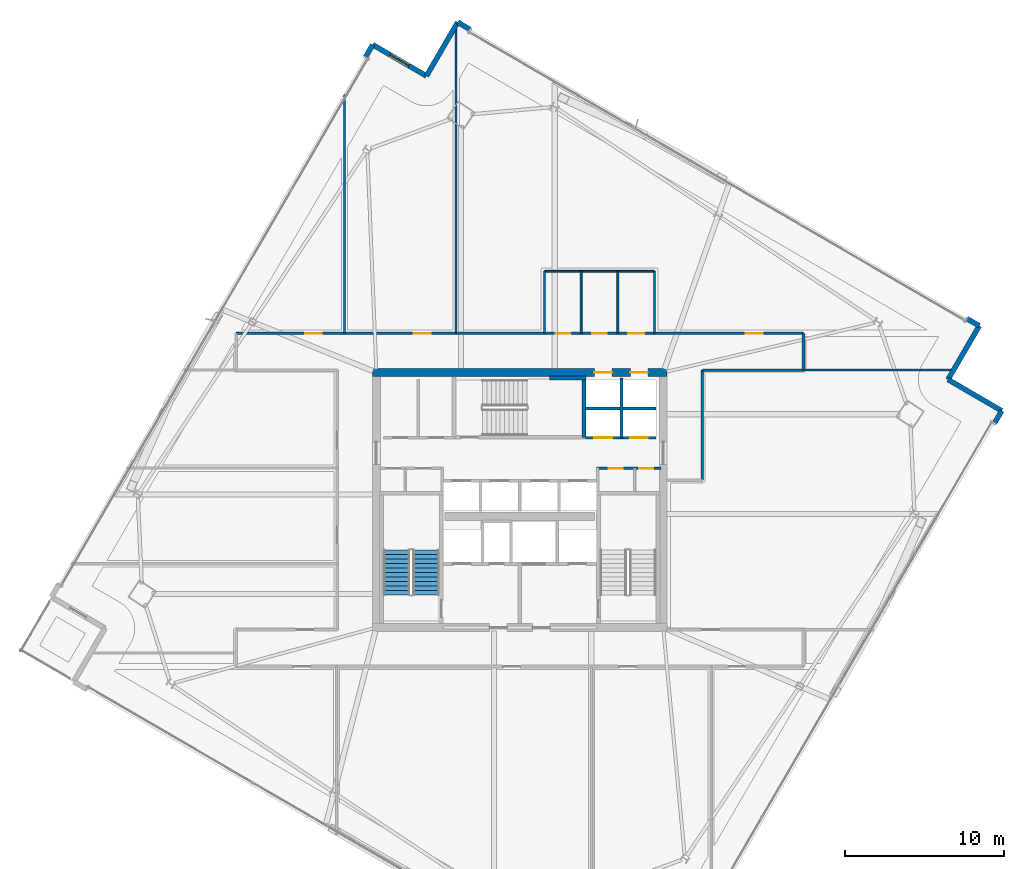
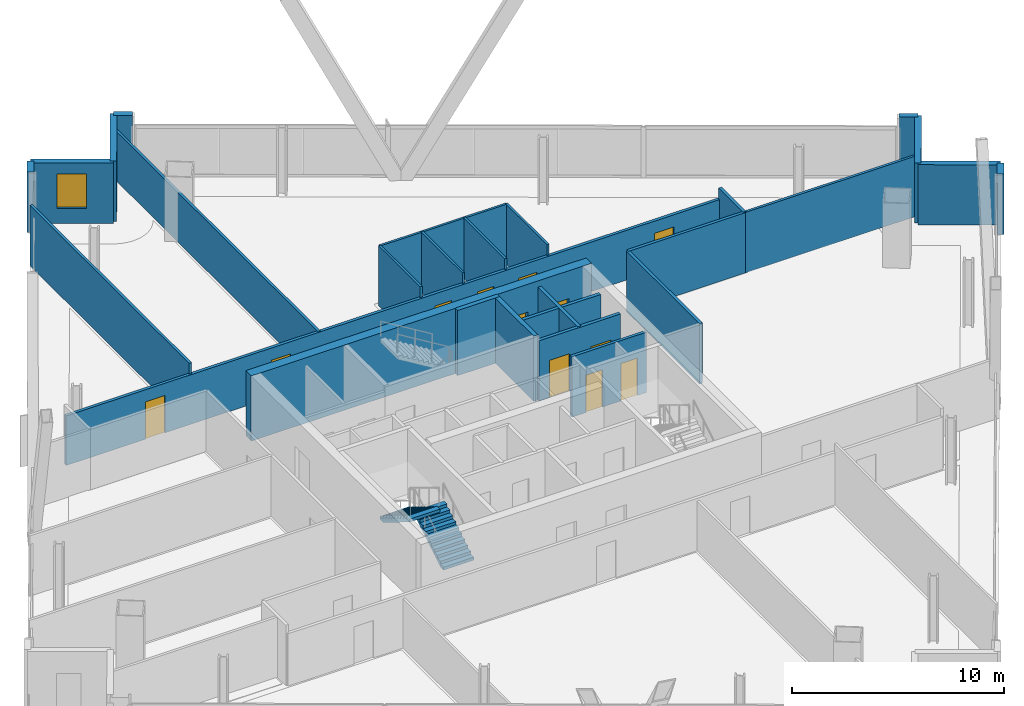
# One storey, part 23 of 29: 27 walls, 12 doors, 2 stair flights, 1 window, 13 openings, 1 element without a shape of its own.
"""IFC4 building model written with IfcOpenShell, lengths in metres."""

from ifc_helpers import new_model, si_unit, direction, frame, frame_2d, origin, place, context, subcontext, project, spatial, polyline, rectangle, outline, extrude, material, layer, layer_set, type_object, element, fill, aggregate, save


model = new_model("IFC4")

# Units and contexts
model_context = context("Model", 3, precision=1e-05, world=origin(), true_north=direction((0.0, 1.0)))
body_context = subcontext(model_context, "Body", "Model", "MODEL_VIEW")
ifc_project = project(units=[si_unit("LENGTHUNIT", "METRE"), si_unit("AREAUNIT", "SQUARE_METRE"), si_unit("VOLUMEUNIT", "CUBIC_METRE"), si_unit("PLANEANGLEUNIT", "RADIAN"), si_unit("MASSUNIT", "GRAM", prefix="KILO")], contexts=[model_context])

# Site, building, storey
site_placement = place(None, origin())
site = spatial("IfcSite", under=ifc_project, at=site_placement, CompositionType="ELEMENT")
building_placement = place(site_placement, origin())
building = spatial("IfcBuilding", under=site, at=building_placement, Name="Haldenkirk Collegiate Tower", CompositionType="ELEMENT")
storey_placement = place(building_placement, frame((0.0, 0.0, 228.449951171875)))
storey = spatial("IfcBuildingStorey", under=building, at=storey_placement, Name="L57", CompositionType="ELEMENT", Elevation=228.449951171875)

# Wall, openings, doors
ifc_material_1 = material(Name="Concrete f'c 55 MPa", Category="concrete")
ifc_layer_1 = layer(ifc_material_1, 0.5)
ifc_layer_set_1 = layer_set([ifc_layer_1], Name="Concrete f'c 55 MPa")
wall_type_1 = type_object("IfcWallType", Name="WL-CORE-500", PredefinedType="SHEAR", material=ifc_layer_set_1)
wall_1_placement = place(storey_placement, frame((26.75, 34.0, 0.0), z_axis=(0.0, 0.0, 1.0), x_axis=(1.0, 0.0, 0.0)))
wall_1 = element("IfcWall", 1, at=wall_1_placement, inside=storey, type_object=wall_type_1, Name="L57 central core shear wall N", PredefinedType="SHEAR", context=body_context, shape_type="SweptSolid", body=[
    extrude(rectangle(XDim=18.5, YDim=0.5, at=frame_2d((9.25, 0.0))), origin(), (0.0, 0.0, 1.0), 3.75),
])
opening_1_placement = place(wall_1_placement, frame((13.93505859375, 0.0, 0.0)))
opening_1 = element("IfcOpeningElement", 2, at=opening_1_placement, cuts=wall_1, Name="Opening LD-11", PredefinedType="OPENING", context=body_context, shape_type="SweptSolid", body=[
    extrude(rectangle(XDim=1.10009765625, YDim=2.14990234375, at=frame_2d((0.550048828125, 1.074951171875))), frame((0.0, 0.260009765625, 0.0), z_axis=(0.0, -1.0, 0.0), x_axis=(1.0, 0.0, 0.0)), (0.0, 0.0, 1.0), 0.52001953125),
])
opening_2_placement = place(wall_1_placement, frame((16.18505859375, 0.0, 0.0)))
opening_2 = element("IfcOpeningElement", 3, at=opening_2_placement, cuts=wall_1, Name="Opening LD-11", PredefinedType="OPENING", context=body_context, shape_type="SweptSolid", body=[
    extrude(rectangle(XDim=1.10009765625, YDim=2.14990234375, at=frame_2d((0.550048828125, 1.074951171875))), frame((0.0, 0.260009765625, 0.0), z_axis=(0.0, -1.0, 0.0), x_axis=(1.0, 0.0, 0.0)), (0.0, 0.0, 1.0), 0.52001953125),
])
ifc_material_2 = material(Name="Brushed architectural stainless steel", Category="steel")
ifc_layer_2 = layer(ifc_material_2, 0.06005859375)
ifc_layer_set_2 = layer_set([ifc_layer_2], Name="Brushed architectural stainless steel")
door_type_1 = type_object("IfcDoorType", Name="LD-PASS-1100", OperationType="NOTDEFINED", PredefinedType="DOOR", material=ifc_layer_set_2)
door_1_placement = place(opening_1_placement, origin())
door_1 = element("IfcDoor", 4, at=door_1_placement, inside=storey, type_object=door_type_1, Name="L57 Elevator PM3 sliding landing door", OperationType="SLIDING_TO_LEFT", OverallHeight=2.14990234375, OverallWidth=1.10009765625, PredefinedType="DOOR", context=body_context, shape_type="SweptSolid", body=[
    extrude(rectangle(XDim=1.10009765625, YDim=2.14990234375, at=frame_2d((0.550048828125, 1.074951171875))), frame((0.0, 0.02490234375, 0.0), z_axis=(0.0, -1.0, 0.0), x_axis=(1.0, 0.0, 0.0)), (0.0, 0.0, 1.0), 0.050048828125),
])
fill(opening_1, door_1)
door_2_placement = place(opening_2_placement, origin())
door_2 = element("IfcDoor", 5, at=door_2_placement, inside=storey, type_object=door_type_1, Name="L57 Elevator PM4 sliding landing door", OperationType="SLIDING_TO_LEFT", OverallHeight=2.14990234375, OverallWidth=1.10009765625, PredefinedType="DOOR", context=body_context, shape_type="SweptSolid", body=[
    extrude(rectangle(XDim=1.10009765625, YDim=2.14990234375, at=frame_2d((0.550048828125, 1.074951171875))), frame((0.0, 0.02490234375, 0.0), z_axis=(0.0, -1.0, 0.0), x_axis=(1.0, 0.0, 0.0)), (0.0, 0.0, 1.0), 0.050048828125),
])
fill(opening_2, door_2)

# Walls
ifc_material_3 = material(Name="Precast concrete f'c 40 MPa", Category="concrete")
ifc_layer_3 = layer(ifc_material_3, 0.320068359375)
ifc_layer_set_3 = layer_set([ifc_layer_3], Name="Precast concrete f'c 40 MPa")
wall_type_2 = type_object("IfcWallType", Name="WL-EXT-TWR-320", PredefinedType="STANDARD", material=ifc_layer_set_3)
wall_2_placement = place(storey_placement, frame((66.244873046875, 31.595703125, 0.0), z_axis=(0.0, 0.0, 1.0), x_axis=(-0.503280491755, -0.864123108485, 0.0)))
element("IfcWall", 6, at=wall_2_placement, inside=storey, type_object=wall_type_2, Name="L57 precast corner pier SL", PredefinedType="STANDARD", context=body_context, shape_type="SweptSolid", body=[
    extrude(rectangle(XDim=0.89990234375, YDim=0.320068359375, at=frame_2d((0.449951171875, 0.0))), origin(), (0.0, 0.0, 1.0), 3.469970703125),
])
wall_3_placement = place(storey_placement, frame((62.8740234375, 33.5576171875, 0.0), z_axis=(0.0, 0.0, 1.0), x_axis=(0.86427115238, -0.503026217174, 0.0)))
element("IfcWall", 7, at=wall_3_placement, inside=storey, type_object=wall_type_2, Name="L57 bronze precast notch wall 02", PredefinedType="STANDARD", context=body_context, shape_type="SweptSolid", body=[
    extrude(rectangle(XDim=3.900146484375, YDim=0.320068359375, at=frame_2d((1.9501953125, 0.0))), origin(), (0.0, 0.0, 1.0), 3.469970703125),
])
wall_4_placement = place(storey_placement, frame((64.8359375, 36.92822265625, 0.0), z_axis=(0.0, 0.0, 1.0), x_axis=(-0.503053432331, -0.864255311942, 0.0)))
element("IfcWall", 8, at=wall_4_placement, inside=storey, type_object=wall_type_2, Name="L57 bronze precast notch wall 03", PredefinedType="STANDARD", context=body_context, shape_type="SweptSolid", body=[
    extrude(rectangle(XDim=3.89990234375, YDim=0.320068359375, at=frame_2d((1.949951171875, 0.0))), origin(), (0.0, 0.0, 1.0), 3.469970703125),
])
for number, where, z_axis, x_axis, name in (
    (9, (32.1015625, 55.97998046875, 0.0), (0.0, 0.0, 1.0), (0.86430974307, -0.502959906984, 0.0), "L57 precast corner pier EL"),
    (10, (64.05810546875, 37.380859375, 0.0), (0.0, 0.0, 1.0), (0.86430974307, -0.502959906984, 0.0), "L57 precast corner pier ER"),
):
    element("IfcWall", number, at=place(storey_placement, frame(where, z_axis=z_axis, x_axis=x_axis)), inside=storey, type_object=wall_type_2, Name=name, PredefinedType="STANDARD", context=body_context, shape_type="SweptSolid", body=[
        extrude(rectangle(XDim=0.89990234375, YDim=0.320068359375, at=frame_2d((0.449951171875, 0.0))), origin(), (0.0, 0.0, 1.0), 3.469970703125),
    ])
wall_5_placement = place(storey_placement, frame((30.1396484375, 52.609375, 0.0), z_axis=(0.0, 0.0, 1.0), x_axis=(0.503053432331, 0.864255311942, 0.0)))
element("IfcWall", 11, at=wall_5_placement, inside=storey, type_object=wall_type_2, Name="L57 bronze precast notch wall 05", PredefinedType="STANDARD", context=body_context, shape_type="SweptSolid", body=[
    extrude(rectangle(XDim=3.89990234375, YDim=0.320068359375, at=frame_2d((1.949951171875, 0.0))), origin(), (0.0, 0.0, 1.0), 3.469970703125),
])

# Wall, opening, window
wall_6_placement = place(storey_placement, frame((26.76904296875, 54.5712890625, 0.0), z_axis=(0.0, 0.0, 1.0), x_axis=(0.864255311942, -0.503053432331, 0.0)))
wall_6 = element("IfcWall", 12, at=wall_6_placement, inside=storey, type_object=wall_type_2, Name="L57 bronze precast notch wall 06", PredefinedType="STANDARD", context=body_context, shape_type="SweptSolid", body=[
    extrude(rectangle(XDim=3.89990234375, YDim=0.320068359375, at=frame_2d((1.949951171875, 0.0))), origin(), (0.0, 0.0, 1.0), 3.469970703125),
])
opening_3_placement = place(wall_6_placement, frame((1.25, 0.0, 0.85009765625)))
opening_3 = element("IfcOpeningElement", 13, at=opening_3_placement, cuts=wall_6, Name="Opening W-06", PredefinedType="OPENING", context=body_context, shape_type="SweptSolid", body=[
    extrude(rectangle(XDim=1.39990234375, YDim=2.0, at=frame_2d((0.699951171875, 1.0))), frame((0.0, 0.169921875, 0.0), z_axis=(0.0, -1.0, 0.0), x_axis=(1.0, 0.0, 0.0)), (0.0, 0.0, 1.0), 0.340087890625),
])
ifc_material_4 = material(Name="Low-E argon triple insulating glass", Category="glass")
ifc_layer_4 = layer(ifc_material_4, 0.090087890625)
ifc_layer_set_4 = layer_set([ifc_layer_4], Name="Low-E argon triple insulating glass")
window_type = type_object("IfcWindowType", Name="WN-Z4-1400X2000", PartitioningType="SINGLE_PANEL", PredefinedType="WINDOW", material=ifc_layer_set_4)
window_placement = place(opening_3_placement, origin())
window = element("IfcWindow", 14, at=window_placement, inside=storey, type_object=window_type, Name="L57 precast-frame academic window 5", OverallHeight=2.0, OverallWidth=1.39990234375, PartitioningType="SINGLE_PANEL", PredefinedType="WINDOW", context=body_context, shape_type="SweptSolid", body=[
    extrude(rectangle(XDim=1.39990234375, YDim=2.0, at=frame_2d((0.699951171875, 1.0))), frame((0.0, 0.030029296875, 0.0), z_axis=(0.0, -1.0, 0.0), x_axis=(1.0, 0.0, 0.0)), (0.0, 0.0, 1.0), 0.06005859375),
])
fill(opening_3, window)

# Wall
wall_7_placement = place(storey_placement, frame((26.31640625, 53.79345703125, 0.0), z_axis=(0.0, 0.0, 1.0), x_axis=(0.502959906984, 0.86430974307, 0.0)))
element("IfcWall", 15, at=wall_7_placement, inside=storey, type_object=wall_type_2, Name="L57 precast corner pier NR", PredefinedType="STANDARD", context=body_context, shape_type="SweptSolid", body=[
    extrude(rectangle(XDim=0.89990234375, YDim=0.320068359375, at=frame_2d((0.449951171875, 0.0))), origin(), (0.0, 0.0, 1.0), 3.469970703125),
])

# Wall, openings, doors
ifc_material_5 = material(Name="Acoustic fire-rated gypsum partition", Category="concrete")
ifc_layer_5 = layer(ifc_material_5, 0.159912109375)
ifc_layer_set_5 = layer_set([ifc_layer_5], Name="Acoustic fire-rated gypsum partition")
wall_type_3 = type_object("IfcWallType", Name="WL-INT-CORR-160", PredefinedType="PARTITIONING", material=ifc_layer_set_5)
wall_8_placement = place(storey_placement, frame((40.800048828125, 27.97998046875, 0.0), z_axis=(0.0, 0.0, 1.0), x_axis=(1.0, 0.0, 0.0)))
wall_8 = element("IfcWall", 16, at=wall_8_placement, inside=storey, type_object=wall_type_3, Name="L57 interior partition IW-L57-VCSE-N", PredefinedType="PARTITIONING", context=body_context, shape_type="SweptSolid", body=[
    extrude(rectangle(XDim=4.050048828125, YDim=0.159912109375, at=frame_2d((2.02490234375, 0.0))), origin(), (0.0, 0.0, 1.0), 3.469970703125),
])
opening_4_placement = place(wall_8_placement, frame((0.77001953125, 0.0, 0.0)))
opening_4 = element("IfcOpeningElement", 17, at=opening_4_placement, cuts=wall_8, Name="Opening D-11", PredefinedType="OPENING", context=body_context, shape_type="SweptSolid", body=[
    extrude(rectangle(XDim=0.89990234375, YDim=2.14990234375, at=frame_2d((0.449951171875, 1.074951171875))), frame((0.0, 0.08984375, 0.0), z_axis=(0.0, -1.0, 0.0), x_axis=(1.0, 0.0, 0.0)), (0.0, 0.0, 1.0), 0.179931640625),
])
opening_5_placement = place(wall_8_placement, frame((2.679931640625, 0.0, 0.0)))
opening_5 = element("IfcOpeningElement", 18, at=opening_5_placement, cuts=wall_8, Name="Opening D-11", PredefinedType="OPENING", context=body_context, shape_type="SweptSolid", body=[
    extrude(rectangle(XDim=0.89990234375, YDim=2.14990234375, at=frame_2d((0.449951171875, 1.074951171875))), frame((0.0, 0.08984375, 0.0), z_axis=(0.0, -1.0, 0.0), x_axis=(1.0, 0.0, 0.0)), (0.0, 0.0, 1.0), 0.179931640625),
])
ifc_material_6 = material(Name="Solid-core architectural oak fire door", Category="wood")
ifc_layer_6 = layer(ifc_material_6, 0.06005859375)
ifc_layer_set_6 = layer_set([ifc_layer_6], Name="Solid-core architectural oak fire door")
door_type_2 = type_object("IfcDoorType", Name="DR-INT-FD60-900", OperationType="NOTDEFINED", PredefinedType="DOOR", material=ifc_layer_set_6)
door_3_placement = place(opening_4_placement, origin())
door_3 = element("IfcDoor", 19, at=door_3_placement, inside=storey, type_object=door_type_2, Name="L57 core archive door", OperationType="SINGLE_SWING_RIGHT", OverallHeight=2.14990234375, OverallWidth=0.89990234375, PredefinedType="DOOR", context=body_context, shape_type="SweptSolid", body=[
    extrude(rectangle(XDim=0.89990234375, YDim=2.14990234375, at=frame_2d((0.449951171875, 1.074951171875))), frame((0.0, 0.02490234375, 0.0), z_axis=(0.0, -1.0, 0.0), x_axis=(1.0, 0.0, 0.0)), (0.0, 0.0, 1.0), 0.050048828125),
])
fill(opening_4, door_3)
door_4_placement = place(opening_5_placement, origin())
door_4 = element("IfcDoor", 20, at=door_4_placement, inside=storey, type_object=door_type_2, Name="L57 core telecom door", OperationType="SINGLE_SWING_LEFT", OverallHeight=2.14990234375, OverallWidth=0.89990234375, PredefinedType="DOOR", context=body_context, shape_type="SweptSolid", body=[
    extrude(rectangle(XDim=0.89990234375, YDim=2.14990234375, at=frame_2d((0.449951171875, 1.074951171875))), frame((0.0, 0.02490234375, 0.0), z_axis=(0.0, -1.0, 0.0), x_axis=(1.0, 0.0, 0.0)), (0.0, 0.0, 1.0), 0.050048828125),
])
fill(opening_5, door_4)

wall_9_placement = place(storey_placement, frame((18.199951171875, 36.449951171875, 0.0), z_axis=(0.0, 0.0, 1.0), x_axis=(1.0, 0.0, 0.0)))
wall_9 = element("IfcWall", 21, at=wall_9_placement, inside=storey, type_object=wall_type_3, Name="L57 interior partition IW-L57-CN", PredefinedType="PARTITIONING", context=body_context, shape_type="SweptSolid", body=[
    extrude(rectangle(XDim=35.60009765625, YDim=0.159912109375, at=frame_2d((17.800048828125, 0.0))), origin(), (0.0, 0.0, 1.0), 2.84912109375),
])
opening_6_placement = place(wall_9_placement, frame((20.050048828125, 0.0, 0.0)))
opening_6 = element("IfcOpeningElement", 22, at=opening_6_placement, cuts=wall_9, Name="Opening D-13", PredefinedType="OPENING", context=body_context, shape_type="SweptSolid", body=[
    extrude(rectangle(XDim=0.89990234375, YDim=2.14990234375, at=frame_2d((0.449951171875, 1.074951171875))), frame((0.0, 0.08984375, 0.0), z_axis=(0.0, -1.0, 0.0), x_axis=(1.0, 0.0, 0.0)), (0.0, 0.0, 1.0), 0.179931640625),
])
opening_7_placement = place(wall_9_placement, frame((22.35009765625, 0.0, 0.0)))
opening_7 = element("IfcOpeningElement", 23, at=opening_7_placement, cuts=wall_9, Name="Opening D-13", PredefinedType="OPENING", context=body_context, shape_type="SweptSolid", body=[
    extrude(rectangle(XDim=0.89990234375, YDim=2.14990234375, at=frame_2d((0.449951171875, 1.074951171875))), frame((0.0, 0.08984375, 0.0), z_axis=(0.0, -1.0, 0.0), x_axis=(1.0, 0.0, 0.0)), (0.0, 0.0, 1.0), 0.179931640625),
])
opening_8_placement = place(wall_9_placement, frame((24.60009765625, 0.0, 0.0)))
opening_8 = element("IfcOpeningElement", 24, at=opening_8_placement, cuts=wall_9, Name="Opening D-14", PredefinedType="OPENING", context=body_context, shape_type="SweptSolid", body=[
    extrude(rectangle(XDim=1.0, YDim=2.14990234375, at=frame_2d((0.5, 1.074951171875))), frame((0.0, 0.08984375, 0.0), z_axis=(0.0, -1.0, 0.0), x_axis=(1.0, 0.0, 0.0)), (0.0, 0.0, 1.0), 0.179931640625),
])
opening_9_placement = place(wall_9_placement, frame((4.324951171875, 0.0, 0.0)))
opening_9 = element("IfcOpeningElement", 25, at=opening_9_placement, cuts=wall_9, Name="Opening D-09", PredefinedType="OPENING", context=body_context, shape_type="SweptSolid", body=[
    extrude(rectangle(XDim=1.050048828125, YDim=2.14990234375, at=frame_2d((0.52490234375, 1.074951171875))), frame((0.0, 0.08984375, 0.0), z_axis=(0.0, -1.0, 0.0), x_axis=(1.0, 0.0, 0.0)), (0.0, 0.0, 1.0), 0.179931640625),
])
opening_10_placement = place(wall_9_placement, frame((11.155029296875, 0.0, 0.0)))
opening_10 = element("IfcOpeningElement", 26, at=opening_10_placement, cuts=wall_9, Name="Opening D-09", PredefinedType="OPENING", context=body_context, shape_type="SweptSolid", body=[
    extrude(rectangle(XDim=1.050048828125, YDim=2.14990234375, at=frame_2d((0.52490234375, 1.074951171875))), frame((0.0, 0.08984375, 0.0), z_axis=(0.0, -1.0, 0.0), x_axis=(1.0, 0.0, 0.0)), (0.0, 0.0, 1.0), 0.179931640625),
])
opening_11_placement = place(wall_9_placement, frame((31.98291015625, 0.0, 0.0)))
opening_11 = element("IfcOpeningElement", 27, at=opening_11_placement, cuts=wall_9, Name="Opening D-09", PredefinedType="OPENING", context=body_context, shape_type="SweptSolid", body=[
    extrude(rectangle(XDim=1.050048828125, YDim=2.14990234375, at=frame_2d((0.52490234375, 1.074951171875))), frame((0.0, 0.08984375, 0.0), z_axis=(0.0, -1.0, 0.0), x_axis=(1.0, 0.0, 0.0)), (0.0, 0.0, 1.0), 0.179931640625),
])
ifc_layer_7 = layer(ifc_material_6, 0.06005859375)
ifc_layer_set_7 = layer_set([ifc_layer_7], Name="Solid-core architectural oak fire door")
door_type_3 = type_object("IfcDoorType", Name="DR-INT-ACC-1000", OperationType="NOTDEFINED", PredefinedType="DOOR", material=ifc_layer_set_7)
door_5_placement = place(opening_8_placement, origin())
door_5 = element("IfcDoor", 28, at=door_5_placement, inside=storey, type_object=door_type_3, Name="L57 Accessible WC door", OperationType="SINGLE_SWING_RIGHT", OverallHeight=2.14990234375, OverallWidth=1.0, PredefinedType="DOOR", context=body_context, shape_type="SweptSolid", body=[
    extrude(rectangle(XDim=1.0, YDim=2.14990234375, at=frame_2d((0.5, 1.074951171875))), frame((0.0, 0.02490234375, 0.0), z_axis=(0.0, -1.0, 0.0), x_axis=(1.0, 0.0, 0.0)), (0.0, 0.0, 1.0), 0.050048828125),
])
fill(opening_8, door_5)
ifc_layer_8 = layer(ifc_material_6, 0.06005859375)
ifc_layer_set_8 = layer_set([ifc_layer_8], Name="Solid-core architectural oak fire door")
door_type_4 = type_object("IfcDoorType", Name="DR-INT-FD60-1050", OperationType="NOTDEFINED", PredefinedType="DOOR", material=ifc_layer_set_8)
door_6_placement = place(opening_9_placement, origin())
door_6 = element("IfcDoor", 29, at=door_6_placement, inside=storey, type_object=door_type_4, Name="L57 Research Office 5 door", OperationType="SINGLE_SWING_LEFT", OverallHeight=2.14990234375, OverallWidth=1.050048828125, PredefinedType="DOOR", context=body_context, shape_type="SweptSolid", body=[
    extrude(rectangle(XDim=1.050048828125, YDim=2.14990234375, at=frame_2d((0.52490234375, 1.074951171875))), frame((0.0, 0.02490234375, 0.0), z_axis=(0.0, -1.0, 0.0), x_axis=(1.0, 0.0, 0.0)), (0.0, 0.0, 1.0), 0.050048828125),
])
fill(opening_9, door_6)
door_7_placement = place(opening_10_placement, origin())
door_7 = element("IfcDoor", 30, at=door_7_placement, inside=storey, type_object=door_type_4, Name="L57 Doctoral Office 6 door", OperationType="SINGLE_SWING_RIGHT", OverallHeight=2.14990234375, OverallWidth=1.050048828125, PredefinedType="DOOR", context=body_context, shape_type="SweptSolid", body=[
    extrude(rectangle(XDim=1.050048828125, YDim=2.14990234375, at=frame_2d((0.52490234375, 1.074951171875))), frame((0.0, 0.02490234375, 0.0), z_axis=(0.0, -1.0, 0.0), x_axis=(1.0, 0.0, 0.0)), (0.0, 0.0, 1.0), 0.050048828125),
])
fill(opening_10, door_7)
door_8_placement = place(opening_11_placement, origin())
door_8 = element("IfcDoor", 31, at=door_8_placement, inside=storey, type_object=door_type_4, Name="L57 Wet Science Laboratory 7 door", OperationType="SINGLE_SWING_LEFT", OverallHeight=2.14990234375, OverallWidth=1.050048828125, PredefinedType="DOOR", context=body_context, shape_type="SweptSolid", body=[
    extrude(rectangle(XDim=1.050048828125, YDim=2.14990234375, at=frame_2d((0.52490234375, 1.074951171875))), frame((0.0, 0.02490234375, 0.0), z_axis=(0.0, -1.0, 0.0), x_axis=(1.0, 0.0, 0.0)), (0.0, 0.0, 1.0), 0.050048828125),
])
fill(opening_11, door_8)
ifc_layer_9 = layer(ifc_material_6, 0.06005859375)
ifc_layer_set_9 = layer_set([ifc_layer_9], Name="Solid-core architectural oak fire door")
door_type_5 = type_object("IfcDoorType", Name="DR-INT-STD-900", OperationType="NOTDEFINED", PredefinedType="DOOR", material=ifc_layer_set_9)
door_9_placement = place(opening_6_placement, origin())
door_9 = element("IfcDoor", 32, at=door_9_placement, inside=storey, type_object=door_type_5, Name="L57 Male WC door", OperationType="SINGLE_SWING_RIGHT", OverallHeight=2.14990234375, OverallWidth=0.89990234375, PredefinedType="DOOR", context=body_context, shape_type="SweptSolid", body=[
    extrude(rectangle(XDim=0.89990234375, YDim=2.14990234375, at=frame_2d((0.449951171875, 1.074951171875))), frame((0.0, 0.02490234375, 0.0), z_axis=(0.0, -1.0, 0.0), x_axis=(1.0, 0.0, 0.0)), (0.0, 0.0, 1.0), 0.050048828125),
])
fill(opening_6, door_9)
door_10_placement = place(opening_7_placement, origin())
door_10 = element("IfcDoor", 33, at=door_10_placement, inside=storey, type_object=door_type_5, Name="L57 Female WC door", OperationType="SINGLE_SWING_LEFT", OverallHeight=2.14990234375, OverallWidth=0.89990234375, PredefinedType="DOOR", context=body_context, shape_type="SweptSolid", body=[
    extrude(rectangle(XDim=0.89990234375, YDim=2.14990234375, at=frame_2d((0.449951171875, 1.074951171875))), frame((0.0, 0.02490234375, 0.0), z_axis=(0.0, -1.0, 0.0), x_axis=(1.0, 0.0, 0.0)), (0.0, 0.0, 1.0), 0.050048828125),
])
fill(opening_7, door_10)

# Walls
wall_10_placement = place(storey_placement, frame((47.449951171875, 34.14990234375, 0.0), z_axis=(0.0, 0.0, 1.0), x_axis=(1.0, 0.0, 0.0)))
element("IfcWall", 34, at=wall_10_placement, inside=storey, type_object=wall_type_3, Name="L57 interior partition IW-L57-CNE", PredefinedType="PARTITIONING", context=body_context, shape_type="SweptSolid", body=[
    extrude(rectangle(XDim=6.35009765625, YDim=0.159912109375, at=frame_2d((3.175048828125, 0.0))), origin(), (0.0, 0.0, 1.0), 3.469970703125),
])
wall_11_placement = place(storey_placement, frame((47.449951171875, 27.25, 0.0), z_axis=(0.0, 0.0, 1.0), x_axis=(0.0, 1.0, 0.0)))
element("IfcWall", 35, at=wall_11_placement, inside=storey, type_object=wall_type_3, Name="L57 interior partition IW-L57-CE", PredefinedType="PARTITIONING", context=body_context, shape_type="SweptSolid", body=[
    extrude(rectangle(XDim=6.89990234375, YDim=0.159912109375, at=frame_2d((3.449951171875, 0.0))), origin(), (0.0, 0.0, 1.0), 3.469970703125),
])
wall_12_placement = place(storey_placement, frame((53.800048828125, 34.14990234375, 0.0), z_axis=(0.0, 0.0, 1.0), x_axis=(0.0, 1.0, 0.0)))
element("IfcWall", 36, at=wall_12_placement, inside=storey, type_object=wall_type_3, Name="L57 interior partition IW-L57-CNR", PredefinedType="PARTITIONING", context=body_context, shape_type="SweptSolid", body=[
    extrude(rectangle(XDim=2.300048828125, YDim=0.159912109375, at=frame_2d((1.14990234375, 0.0))), origin(), (0.0, 0.0, 1.0), 3.469970703125),
])
ifc_layer_10 = layer(ifc_material_5, 0.139892578125)
ifc_layer_set_10 = layer_set([ifc_layer_10], Name="Acoustic fire-rated gypsum partition")
wall_type_4 = type_object("IfcWallType", Name="WL-INT-DIV-140", PredefinedType="PARTITIONING", material=ifc_layer_set_10)
wall_13_placement = place(storey_placement, frame((53.800048828125, 34.14990234375, 0.0), z_axis=(0.0, 0.0, 1.0), x_axis=(1.0, 0.0, 0.0)))
element("IfcWall", 37, at=wall_13_placement, inside=storey, type_object=wall_type_4, Name="L57 interior partition IW-L57-BEN", PredefinedType="PARTITIONING", context=body_context, shape_type="SweptSolid", body=[
    extrude(rectangle(XDim=9.37255859375, YDim=0.139892578125, at=frame_2d((4.686279296875, 0.0))), origin(), (0.0, 0.0, 1.0), 3.469970703125),
])
wall_14_placement = place(storey_placement, frame((25.0, 36.449951171875, 0.0), z_axis=(0.0, 0.0, 1.0), x_axis=(0.0, 1.0, 0.0)))
element("IfcWall", 38, at=wall_14_placement, inside=storey, type_object=wall_type_4, Name="L57 interior partition IW-L57-RN1", PredefinedType="PARTITIONING", context=body_context, shape_type="SweptSolid", body=[
    extrude(rectangle(XDim=15.002197265625, YDim=0.139892578125, at=frame_2d((7.5009765625, 0.0))), origin(), (0.0, 0.0, 1.0), 3.469970703125),
])
wall_15_placement = place(storey_placement, frame((32.0, 36.449951171875, 0.0), z_axis=(0.0, 0.0, 1.0), x_axis=(0.0, 1.0, 0.0)))
element("IfcWall", 39, at=wall_15_placement, inside=storey, type_object=wall_type_4, Name="L57 interior partition IW-L57-RN2", PredefinedType="PARTITIONING", context=body_context, shape_type="SweptSolid", body=[
    extrude(rectangle(XDim=19.2763671875, YDim=0.139892578125, at=frame_2d((9.63818359375, 0.0))), origin(), (0.0, 0.0, 1.0), 2.84912109375),
])

# Wall, openings, doors
ifc_material_7 = material(Name="Fire-rated gypsum shaftboard assembly", Category="concrete")
ifc_layer_11 = layer(ifc_material_7, 0.179931640625)
ifc_layer_set_11 = layer_set([ifc_layer_11], Name="Fire-rated gypsum shaftboard assembly")
wall_type_5 = type_object("IfcWallType", Name="WL-INT-SHAFT-180", PredefinedType="PARTITIONING", material=ifc_layer_set_11)
wall_16_placement = place(storey_placement, frame((40.1201171875, 29.89990234375, 0.0), z_axis=(0.0, 0.0, 1.0), x_axis=(1.0, 0.0, 0.0)))
wall_16 = element("IfcWall", 40, at=wall_16_placement, inside=storey, type_object=wall_type_5, Name="L57 interior partition IW-L57-PMS", PredefinedType="PARTITIONING", context=body_context, shape_type="SweptSolid", body=[
    extrude(rectangle(XDim=4.429931640625, YDim=0.179931640625, at=frame_2d((2.21484375, 0.0))), origin(), (0.0, 0.0, 1.0), 3.469970703125),
])
opening_12_placement = place(wall_16_placement, frame((0.56494140625, 0.0, 0.0)))
opening_12 = element("IfcOpeningElement", 41, at=opening_12_placement, cuts=wall_16, Name="Opening LD-11", PredefinedType="OPENING", context=body_context, shape_type="SweptSolid", body=[
    extrude(rectangle(XDim=1.10009765625, YDim=2.14990234375, at=frame_2d((0.550048828125, 1.074951171875))), frame((0.0, 0.099853515625, 0.0), z_axis=(0.0, -1.0, 0.0), x_axis=(1.0, 0.0, 0.0)), (0.0, 0.0, 1.0), 0.199951171875),
])
opening_13_placement = place(wall_16_placement, frame((2.81494140625, 0.0, 0.0)))
opening_13 = element("IfcOpeningElement", 42, at=opening_13_placement, cuts=wall_16, Name="Opening LD-11", PredefinedType="OPENING", context=body_context, shape_type="SweptSolid", body=[
    extrude(rectangle(XDim=1.10009765625, YDim=2.14990234375, at=frame_2d((0.550048828125, 1.074951171875))), frame((0.0, 0.099853515625, 0.0), z_axis=(0.0, -1.0, 0.0), x_axis=(1.0, 0.0, 0.0)), (0.0, 0.0, 1.0), 0.199951171875),
])
door_11_placement = place(opening_12_placement, origin())
door_11 = element("IfcDoor", 43, at=door_11_placement, inside=storey, type_object=door_type_1, Name="L57 Elevator PM1 sliding landing door", OperationType="SLIDING_TO_LEFT", OverallHeight=2.14990234375, OverallWidth=1.10009765625, PredefinedType="DOOR", context=body_context, shape_type="SweptSolid", body=[
    extrude(rectangle(XDim=1.10009765625, YDim=2.14990234375, at=frame_2d((0.550048828125, 1.074951171875))), frame((0.0, 0.02490234375, 0.0), z_axis=(0.0, -1.0, 0.0), x_axis=(1.0, 0.0, 0.0)), (0.0, 0.0, 1.0), 0.050048828125),
])
fill(opening_12, door_11)
door_12_placement = place(opening_13_placement, origin())
door_12 = element("IfcDoor", 44, at=door_12_placement, inside=storey, type_object=door_type_1, Name="L57 Elevator PM2 sliding landing door", OperationType="SLIDING_TO_LEFT", OverallHeight=2.14990234375, OverallWidth=1.10009765625, PredefinedType="DOOR", context=body_context, shape_type="SweptSolid", body=[
    extrude(rectangle(XDim=1.10009765625, YDim=2.14990234375, at=frame_2d((0.550048828125, 1.074951171875))), frame((0.0, 0.02490234375, 0.0), z_axis=(0.0, -1.0, 0.0), x_axis=(1.0, 0.0, 0.0)), (0.0, 0.0, 1.0), 0.050048828125),
])
fill(opening_13, door_12)

# Walls
wall_17_placement = place(storey_placement, frame((40.1201171875, 31.75, 0.0), z_axis=(0.0, 0.0, 1.0), x_axis=(1.0, 0.0, 0.0)))
element("IfcWall", 45, at=wall_17_placement, inside=storey, type_object=wall_type_5, Name="L57 interior partition IW-L57-PMM", PredefinedType="PARTITIONING", context=body_context, shape_type="SweptSolid", body=[
    extrude(rectangle(XDim=4.429931640625, YDim=0.179931640625, at=frame_2d((2.21484375, 0.0))), origin(), (0.0, 0.0, 1.0), 3.469970703125),
])
wall_18_placement = place(storey_placement, frame((42.3701171875, 29.89990234375, 0.0), z_axis=(0.0, 0.0, 1.0), x_axis=(0.0, 1.0, 0.0)))
element("IfcWall", 46, at=wall_18_placement, inside=storey, type_object=wall_type_5, Name="L57 interior partition IW-L57-PMV", PredefinedType="PARTITIONING", context=body_context, shape_type="SweptSolid", body=[
    extrude(rectangle(XDim=3.75, YDim=0.179931640625, at=frame_2d((1.875, 0.0))), origin(), (0.0, 0.0, 1.0), 3.469970703125),
])
ifc_layer_12 = layer(ifc_material_5, 0.1201171875)
ifc_layer_set_12 = layer_set([ifc_layer_12], Name="Acoustic fire-rated gypsum partition")
wall_type_6 = type_object("IfcWallType", Name="WL-INT-WET-120", PredefinedType="PARTITIONING", material=ifc_layer_set_12)
for number, where, z_axis, x_axis, name in (
    (47, (37.550048828125, 36.449951171875, 0.0), (0.0, 0.0, 1.0), (0.0, 1.0, 0.0), "L57 interior partition IW-L57-WCW"),
    (48, (39.85009765625, 36.449951171875, 0.0), (0.0, 0.0, 1.0), (0.0, 1.0, 0.0), "L57 interior partition IW-L57-WC1"),
    (49, (42.14990234375, 36.449951171875, 0.0), (0.0, 0.0, 1.0), (0.0, 1.0, 0.0), "L57 interior partition IW-L57-WC2"),
    (50, (44.449951171875, 36.449951171875, 0.0), (0.0, 0.0, 1.0), (0.0, 1.0, 0.0), "L57 interior partition IW-L57-WCE"),
):
    element("IfcWall", number, at=place(storey_placement, frame(where, z_axis=z_axis, x_axis=x_axis)), inside=storey, type_object=wall_type_6, Name=name, PredefinedType="PARTITIONING", context=body_context, shape_type="SweptSolid", body=[
        extrude(rectangle(XDim=3.900146484375, YDim=0.1201171875, at=frame_2d((1.9501953125, 0.0))), origin(), (0.0, 0.0, 1.0), 3.469970703125),
    ])
wall_19_placement = place(storey_placement, frame((37.550048828125, 40.35009765625, 0.0), z_axis=(0.0, 0.0, 1.0), x_axis=(1.0, 0.0, 0.0)))
element("IfcWall", 51, at=wall_19_placement, inside=storey, type_object=wall_type_6, Name="L57 interior partition IW-L57-WCB", PredefinedType="PARTITIONING", context=body_context, shape_type="SweptSolid", body=[
    extrude(rectangle(XDim=6.89990234375, YDim=0.1201171875, at=frame_2d((3.449951171875, 0.0))), origin(), (0.0, 0.0, 1.0), 3.469970703125),
])
ifc_layer_13 = layer(ifc_material_1, 0.239990234375)
ifc_layer_set_13 = layer_set([ifc_layer_13], Name="Concrete f'c 55 MPa")
wall_type_7 = type_object("IfcWallType", Name="WL-SHAFT-240", PredefinedType="SHEAR", material=ifc_layer_set_13)
wall_20_placement = place(storey_placement, frame((40.02001953125, 29.929931640625, 0.0), z_axis=(0.0, 0.0, 1.0), x_axis=(0.0, 1.0, 0.0)))
element("IfcWall", 52, at=wall_20_placement, inside=storey, type_object=wall_type_7, Name="L57 stair shaft shear wall SW-L57-ST3E", PredefinedType="SHEAR", context=body_context, shape_type="SweptSolid", body=[
    extrude(rectangle(XDim=3.85009765625, YDim=0.239990234375, at=frame_2d((1.925048828125, 0.0))), origin(), (0.0, 0.0, 1.0), 3.75),
])
wall_21_placement = place(storey_placement, frame((37.85009765625, 33.659912109375, 0.0), z_axis=(0.0, 0.0, 1.0), x_axis=(1.0, 0.0, 0.0)))
element("IfcWall", 53, at=wall_21_placement, inside=storey, type_object=wall_type_7, Name="L57 stair shaft shear wall SW-L57-ST3N", PredefinedType="SHEAR", context=body_context, shape_type="SweptSolid", body=[
    extrude(rectangle(XDim=2.289794921875, YDim=0.239990234375, at=frame_2d((1.14501953125, 0.0))), origin(), (0.0, 0.0, 1.0), 3.75),
])

# Stair, stair flights
ifc_material_8 = material(Name="Concrete f'c 40 MPa", Category="concrete")
stair_type = type_object("IfcStairType", Name="STR-DOGLEG-1650", PredefinedType="HALF_TURN_STAIR", material=ifc_material_8)
stair_placement = place(storey_placement, origin())
stair = element("IfcStair", 54, at=stair_placement, inside=storey, type_object=stair_type, Name="L57 Core Exit Stair ST-1", PredefinedType="HALF_TURN_STAIR")
stair_flight_type = type_object("IfcStairFlightType", Name="STF-FLIGHT-1650", PredefinedType="STRAIGHT", material=ifc_material_8)
stair_flight_1_placement = place(storey_placement, frame((30.125, 20.050048828125, 0.0), z_axis=(0.0, 0.0, 1.0), x_axis=(0.0, 1.0, 0.0)))
stair_flight_1 = element("IfcStairFlight", 55, at=stair_flight_1_placement, type_object=stair_flight_type, Name="ST-1 flight 1", NumberOfRisers=11, NumberOfTreads=10, PredefinedType="STRAIGHT", RiserHeight=0.170454545, TreadLength=0.28, context=body_context, shape_type="SweptSolid", body=[
    extrude(outline(polyline([(0.0, 0.0), (0.0, 0.17041015625), (0.280029296875, 0.17041015625), (0.280029296875, 0.3408203125), (0.56005859375, 0.3408203125), (0.56005859375, 0.511474609375), (0.840087890625, 0.511474609375), (0.840087890625, 0.681884765625), (1.1201171875, 0.681884765625), (1.1201171875, 0.852294921875), (1.39990234375, 0.852294921875), (1.39990234375, 1.022705078125), (1.679931640625, 1.022705078125), (1.679931640625, 1.193115234375), (1.9599609375, 1.193115234375), (1.9599609375, 1.363525390625), (2.239990234375, 1.363525390625), (2.239990234375, 1.5341796875), (2.52001953125, 1.5341796875), (2.52001953125, 1.70458984375), (2.800048828125, 1.70458984375), (2.800048828125, 1.875), (2.800048828125, 1.529052734375), (0.288330078125, 0.0), (0.0, 0.0)])), frame((0.0, 0.824951171875, 0.0), z_axis=(0.0, -1.0, 0.0), x_axis=(1.0, 0.0, 0.0)), (0.0, 0.0, 1.0), 1.64990234375),
])
stair_flight_2_placement = place(storey_placement, frame((28.27490234375, 22.85009765625, 1.875), z_axis=(0.0, 0.0, 1.0), x_axis=(0.0, -1.0, 0.0)))
stair_flight_2 = element("IfcStairFlight", 56, at=stair_flight_2_placement, type_object=stair_flight_type, Name="ST-1 flight 2", NumberOfRisers=11, NumberOfTreads=10, PredefinedType="STRAIGHT", RiserHeight=0.170454545, TreadLength=0.28, context=body_context, shape_type="SweptSolid", body=[
    extrude(outline(polyline([(0.0, 0.0), (0.0, 0.17041015625), (0.280029296875, 0.17041015625), (0.280029296875, 0.3408203125), (0.56005859375, 0.3408203125), (0.56005859375, 0.511474609375), (0.840087890625, 0.511474609375), (0.840087890625, 0.681884765625), (1.1201171875, 0.681884765625), (1.1201171875, 0.852294921875), (1.39990234375, 0.852294921875), (1.39990234375, 1.022705078125), (1.679931640625, 1.022705078125), (1.679931640625, 1.193115234375), (1.9599609375, 1.193115234375), (1.9599609375, 1.363525390625), (2.239990234375, 1.363525390625), (2.239990234375, 1.5341796875), (2.52001953125, 1.5341796875), (2.52001953125, 1.70458984375), (2.800048828125, 1.70458984375), (2.800048828125, 1.875), (2.800048828125, 1.529052734375), (0.288330078125, 0.0), (0.0, 0.0)])), frame((0.0, 0.824951171875, 0.0), z_axis=(0.0, -1.0, 0.0), x_axis=(1.0, 0.0, 0.0)), (0.0, 0.0, 1.0), 1.64990234375),
])
aggregate(stair, [stair_flight_1, stair_flight_2])

save(model, "model.ifc")
